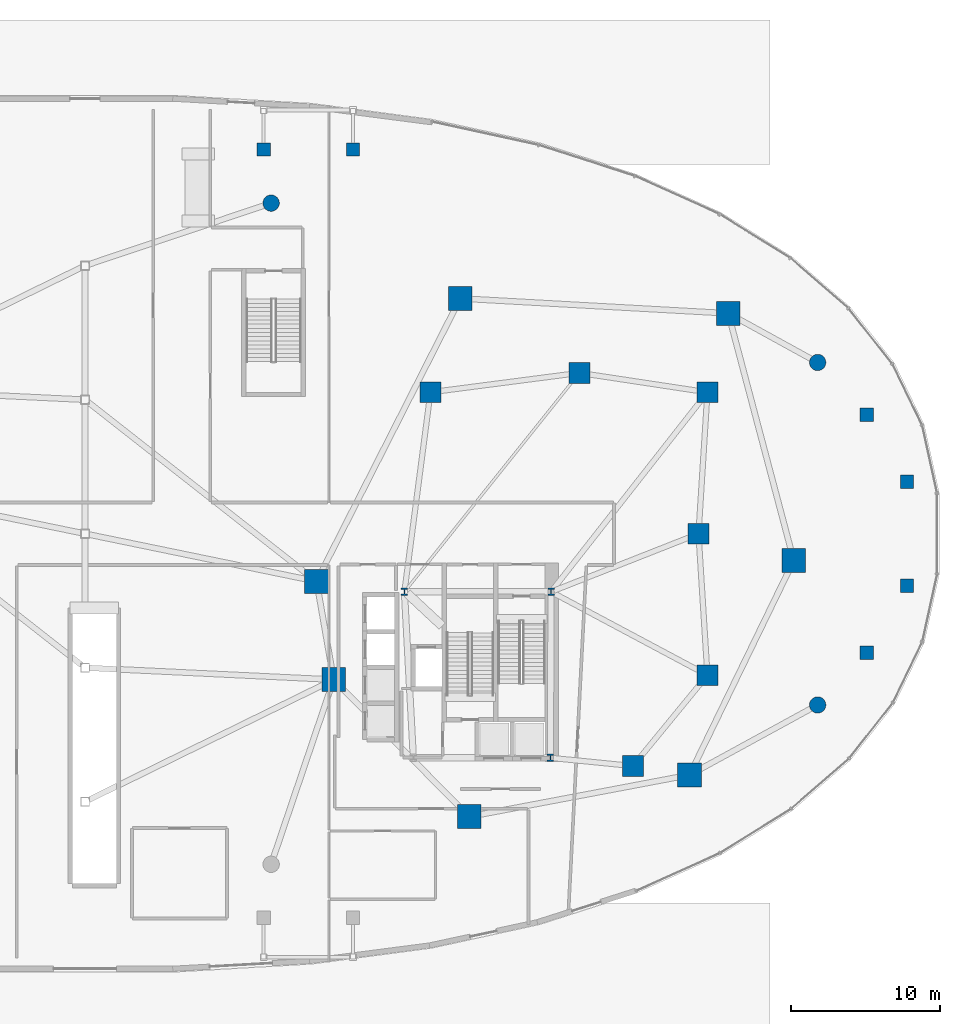
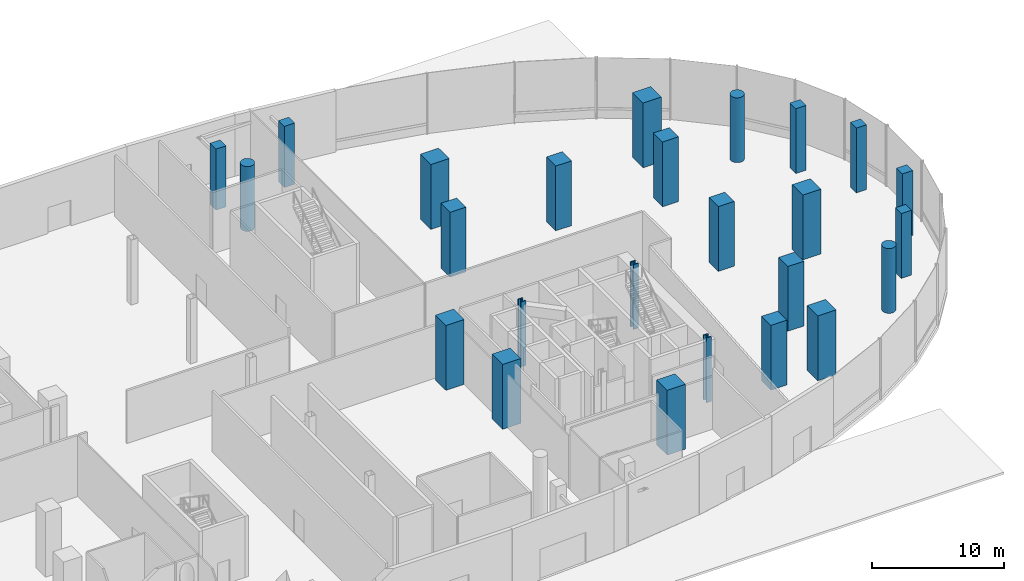
# One storey, part 2 of 20: 25 columns.
"""IFC4 building model written with IfcOpenShell, lengths in metres."""

from ifc_helpers import new_model, si_unit, direction, frame, origin, origin_2d, place, context, subcontext, project, spatial, rectangle, circle, i_section, extrude, material, material_profile, profile_set, type_object, element, save


model = new_model("IFC4")

# Units and contexts
model_context = context("Model", 3, precision=1e-05, world=origin(), true_north=direction((0.0, 1.0)))
body_context = subcontext(model_context, "Body", "Model", "MODEL_VIEW")
ifc_project = project(units=[si_unit("LENGTHUNIT", "METRE"), si_unit("AREAUNIT", "SQUARE_METRE"), si_unit("VOLUMEUNIT", "CUBIC_METRE"), si_unit("PLANEANGLEUNIT", "RADIAN"), si_unit("MASSUNIT", "GRAM", prefix="KILO"), si_unit("THERMODYNAMICTEMPERATUREUNIT", "KELVIN"), si_unit("POWERUNIT", "WATT")], contexts=[model_context])

# Site, building, storey
site_placement = place(None, origin())
site = spatial("IfcSite", under=ifc_project, at=site_placement, CompositionType="ELEMENT")
building_placement = place(site_placement, origin())
building = spatial("IfcBuilding", under=site, at=building_placement, Name="Cundina Bronze Exchange", CompositionType="ELEMENT")
storey_placement = place(building_placement, origin())
storey = spatial("IfcBuildingStorey", under=building, at=storey_placement, Name="L00", CompositionType="ELEMENT", Elevation=0.0)

# Columns
ifc_material_1 = material(Name="Concrete C60/75", Category="concrete")
ifc_material_profile_1 = material_profile(ifc_material_1, rectangle(XDim=1.39990234375, YDim=1.39990234375, at=origin_2d()), Name="RC1400X1400", Category="concrete")
ifc_profile_set_1 = profile_set([ifc_material_profile_1], Name="Concrete C60/75")
column_type_1 = type_object("IfcColumnType", Name="COL-MEGA-1400", PredefinedType="COLUMN", material=ifc_profile_set_1)
for number, where, z_axis, x_axis, name in (
    (1, (41.199951171875, 0.0, 0.0), (0.0, 0.0, 1.0), (1.0, 0.0, 0.0), "L00 E Inner Ring Column 1"),
    (2, (41.800048828125, -9.5, 0.0), (0.0, 0.0, 1.0), (1.0, 0.0, 0.0), "L00 E Inner Ring Column 2"),
    (3, (36.800048828125, -15.60009765625, 0.0), (0.0, 0.0, 1.0), (1.0, 0.0, 0.0), "L00 E Inner Ring Column 3"),
    (4, (41.800048828125, 9.5, 0.0), (0.0, 0.0, 1.0), (1.0, 0.0, 0.0), "L00 E Inner Ring Column 4"),
    (5, (33.199951171875, 10.800048828125, 0.0), (0.0, 0.0, 1.0), (1.0, 0.0, 0.0), "L00 E Inner Ring Column 5"),
    (6, (23.199951171875, 9.5, 0.0), (0.0, 0.0, 1.0), (1.0, 0.0, 0.0), "L00 E Inner Ring Column 6"),
):
    element("IfcColumn", number, at=place(storey_placement, frame(where, z_axis=z_axis, x_axis=x_axis)), inside=storey, type_object=column_type_1, Name=name, PredefinedType="COLUMN", context=body_context, shape_type="SweptSolid", body=[
        extrude(rectangle(XDim=1.39990234375, YDim=1.39990234375, at=origin_2d()), origin(), (0.0, 0.0, 1.0), 6.0),
    ])
ifc_material_profile_2 = material_profile(ifc_material_1, rectangle(XDim=1.60009765625, YDim=1.60009765625, at=origin_2d()), Name="RC1600X1600", Category="concrete")
ifc_profile_set_2 = profile_set([ifc_material_profile_2], Name="Concrete C60/75")
column_type_2 = type_object("IfcColumnType", Name="COL-MEGA-1600", PredefinedType="COLUMN", material=ifc_profile_set_2)
for number, where, z_axis, x_axis, name in (
    (7, (15.550048828125, -3.199951171875, 0.0), (0.0, 0.0, 1.0), (1.0, 0.0, 0.0), "L00 E Podium Mega-Column 00"),
    (8, (16.699951171875, -9.800048828125, 0.0), (0.0, 0.0, 1.0), (1.0, 0.0, 0.0), "L00 E Podium Mega-Column 02"),
    (9, (25.800048828125, -19.0, 0.0), (0.0, 0.0, 1.0), (1.0, 0.0, 0.0), "L00 E Podium Mega-Column 04"),
    (10, (40.60009765625, -16.199951171875, 0.0), (0.0, 0.0, 1.0), (1.0, 0.0, 0.0), "L00 E Podium Mega-Column 06"),
    (11, (47.60009765625, -1.800048828125, 0.0), (0.0, 0.0, 1.0), (1.0, 0.0, 0.0), "L00 E Podium Mega-Column 08"),
    (12, (43.199951171875, 14.800048828125, 0.0), (0.0, 0.0, 1.0), (1.0, 0.0, 0.0), "L00 E Podium Mega-Column 10"),
    (13, (25.199951171875, 15.800048828125, 0.0), (0.0, 0.0, 1.0), (1.0, 0.0, 0.0), "L00 E Podium Mega-Column 12"),
):
    element("IfcColumn", number, at=place(storey_placement, frame(where, z_axis=z_axis, x_axis=x_axis)), inside=storey, type_object=column_type_2, Name=name, PredefinedType="COLUMN", context=body_context, shape_type="SweptSolid", body=[
        extrude(rectangle(XDim=1.60009765625, YDim=1.60009765625, at=origin_2d()), origin(), (0.0, 0.0, 1.0), 6.0),
    ])
ifc_material_profile_3 = material_profile(ifc_material_1, circle(Radius=0.550048828125, at=origin_2d()), Name="RC1100D", Category="concrete")
ifc_profile_set_3 = profile_set([ifc_material_profile_3], Name="Concrete C60/75")
column_type_3 = type_object("IfcColumnType", Name="COL-PIL-1100D", PredefinedType="PILASTER", material=ifc_profile_set_3)
for number, where, z_axis, x_axis, name in (
    (14, (12.5, 22.199951171875, 0.0), (0.0, 0.0, 1.0), (1.0, 0.0, 0.0), "L00 Podium Colonnade Pilaster 04"),
    (15, (49.199951171875, 11.5, 0.0), (0.0, 0.0, 1.0), (1.0, 0.0, 0.0), "L00 Podium Colonnade Pilaster 07"),
    (16, (49.199951171875, -11.5, 0.0), (0.0, 0.0, 1.0), (1.0, 0.0, 0.0), "L00 Podium Colonnade Pilaster 08"),
):
    element("IfcColumn", number, at=place(storey_placement, frame(where, z_axis=z_axis, x_axis=x_axis)), inside=storey, type_object=column_type_3, Name=name, PredefinedType="PILASTER", context=body_context, shape_type="SweptSolid", body=[
        extrude(circle(Radius=0.550048828125, at=origin_2d()), origin(), (0.0, 0.0, 1.0), 6.0),
    ])
ifc_material_2 = material(Name="Steel ASTM A992 Grade 50", Category="steel")
ifc_material_profile_4 = material_profile(ifc_material_2, i_section(OverallWidth=0.431884765625, OverallDepth=0.498046875, WebThickness=0.0556640625, FlangeThickness=0.0888671875, FilletRadius=0.01806640625, at=origin_2d()), Name="W14X500", Category="steel")
ifc_profile_set_4 = profile_set([ifc_material_profile_4], Name="Steel ASTM A992 Grade 50")
column_type_4 = type_object("IfcColumnType", Name="COL-STL-W14A", PredefinedType="COLUMN", material=ifc_profile_set_4)
for number, where, z_axis, x_axis, name in (
    (17, (31.300048828125, -3.89990234375, 0.0), (0.0, 0.0, 1.0), (1.0, 0.0, 0.0), "L00 Core Anchor Column E1"),
    (18, (21.449951171875, -3.89990234375, 0.0), (0.0, 0.0, 1.0), (1.0, 0.0, 0.0), "L00 Core Anchor Column E2"),
    (19, (31.25, -15.050048828125, 0.0), (0.0, 0.0, 1.0), (1.0, 0.0, 0.0), "L00 Core Anchor Column E4"),
):
    element("IfcColumn", number, at=place(storey_placement, frame(where, z_axis=z_axis, x_axis=x_axis)), inside=storey, type_object=column_type_4, Name=name, PredefinedType="COLUMN", context=body_context, shape_type="SweptSolid", body=[
        extrude(i_section(OverallWidth=0.431884765625, OverallDepth=0.498046875, WebThickness=0.0556640625, FlangeThickness=0.0888671875, FilletRadius=0.01806640625, at=origin_2d()), origin(), (0.0, 0.0, 1.0), 6.0),
    ])
ifc_material_3 = material(Name="Concrete C50/60", Category="concrete")
ifc_material_profile_5 = material_profile(ifc_material_3, rectangle(XDim=0.89990234375, YDim=0.89990234375, at=origin_2d()), Name="RC900X900", Category="concrete")
ifc_profile_set_5 = profile_set([ifc_material_profile_5], Name="Concrete C50/60")
column_type_5 = type_object("IfcColumnType", Name="COL-Z4-900", PredefinedType="COLUMN", material=ifc_profile_set_5)
for number, where, z_axis, x_axis, name in (
    (20, (52.5, -8.0, 0.0), (0.0, 0.0, 1.0), (1.0, 0.0, 0.0), "L00 Podium Crescent Wing Column E1"),
    (21, (52.5, 8.0, 0.0), (0.0, 0.0, 1.0), (1.0, 0.0, 0.0), "L00 Podium Crescent Wing Column E2"),
    (22, (55.199951171875, -3.5, 0.0), (0.0, 0.0, 1.0), (1.0, 0.0, 0.0), "L00 Podium Crescent Wing Column E3"),
    (23, (55.199951171875, 3.5, 0.0), (0.0, 0.0, 1.0), (1.0, 0.0, 0.0), "L00 Podium Crescent Wing Column E4"),
):
    element("IfcColumn", number, at=place(storey_placement, frame(where, z_axis=z_axis, x_axis=x_axis)), inside=storey, type_object=column_type_5, Name=name, PredefinedType="COLUMN", context=body_context, shape_type="SweptSolid", body=[
        extrude(rectangle(XDim=0.89990234375, YDim=0.89990234375, at=origin_2d()), origin(), (0.0, 0.0, 1.0), 6.0),
    ])
for number, where, z_axis, x_axis, name in (
    (24, (12.0, 25.800048828125, 0.0), (0.0, 0.0, 1.0), (1.0, 0.0, 0.0), "L00 North Canopy Column 07"),
    (25, (18.0, 25.800048828125, 0.0), (0.0, 0.0, 1.0), (1.0, 0.0, 0.0), "L00 North Canopy Column 08"),
):
    element("IfcColumn", number, at=place(storey_placement, frame(where, z_axis=z_axis, x_axis=x_axis)), inside=storey, type_object=column_type_5, Name=name, PredefinedType="COLUMN", context=body_context, shape_type="SweptSolid", body=[
        extrude(rectangle(XDim=0.89990234375, YDim=0.89990234375, at=origin_2d()), origin(), (0.0, 0.0, 1.0), 5.64990234375),
    ])

save(model, "model.ifc")
